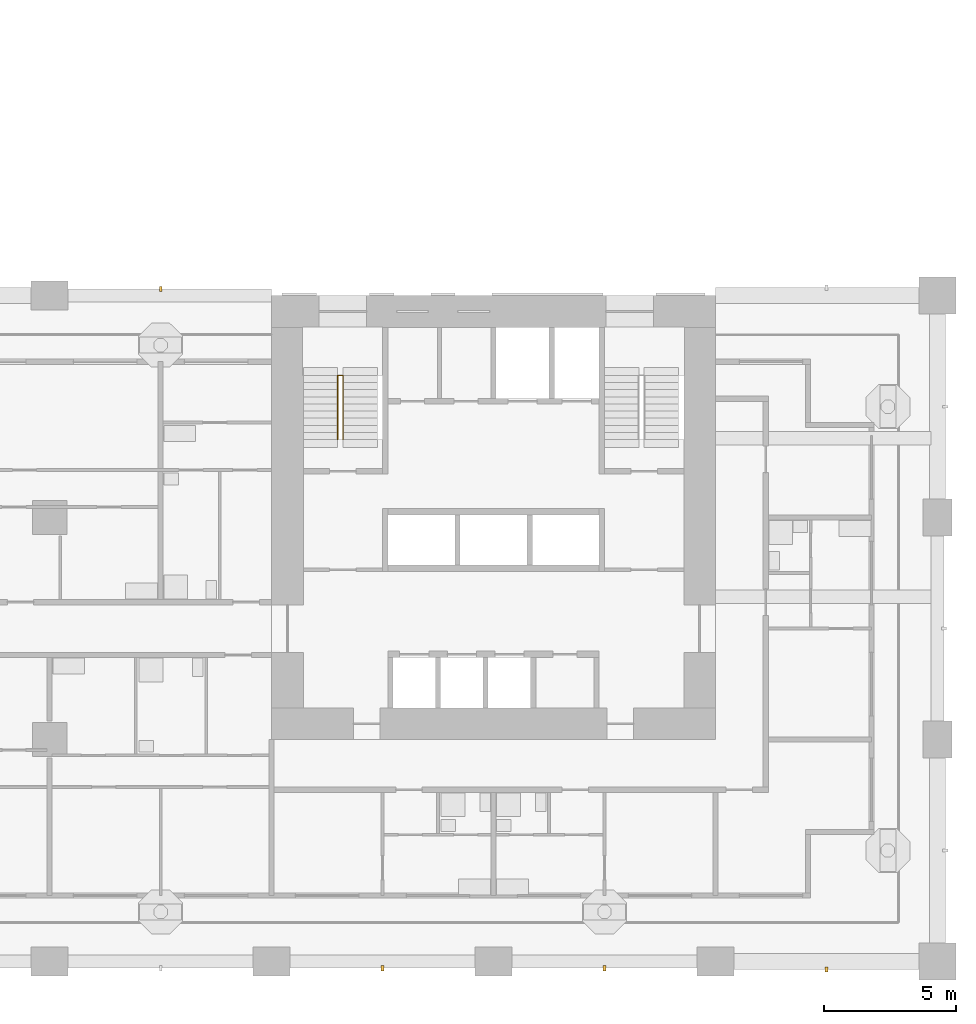
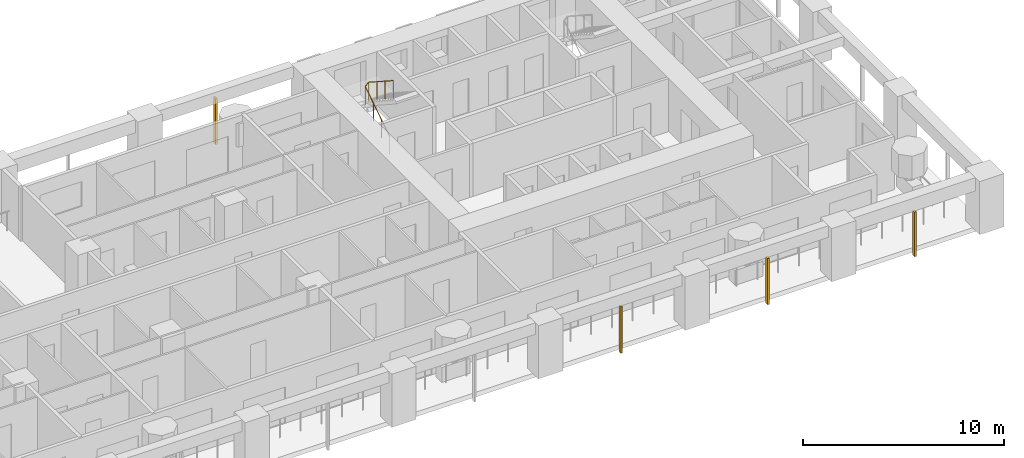
# One storey, part 13 of 21: 4 shading devices, 1 railing.
"""IFC4 building model written with IfcOpenShell, lengths in metres."""

from ifc_helpers import new_model, si_unit, direction, frame, origin, origin_2d, place, context, subcontext, project, spatial, rectangle, circle, extrude, material, material_profile, profile_set, type_object, element, save


model = new_model("IFC4")

# Units and contexts
model_context = context("Model", 3, precision=1e-05, world=origin(), true_north=direction((0.0, 1.0)))
body_context = subcontext(model_context, "Body", "Model", "MODEL_VIEW")
ifc_project = project(units=[si_unit("LENGTHUNIT", "METRE"), si_unit("AREAUNIT", "SQUARE_METRE"), si_unit("VOLUMEUNIT", "CUBIC_METRE"), si_unit("PLANEANGLEUNIT", "RADIAN"), si_unit("MASSUNIT", "GRAM", prefix="KILO")], contexts=[model_context])

# Site, building, storey
site_placement = place(None, origin())
site = spatial("IfcSite", under=ifc_project, at=site_placement, CompositionType="ELEMENT")
building_placement = place(site_placement, origin())
building = spatial("IfcBuilding", under=site, at=building_placement, Name="Vermilion Gate Residences", CompositionType="ELEMENT")
storey_placement = place(building_placement, frame((0.0, 0.0, 67.199951171875)))
storey = spatial("IfcBuildingStorey", under=building, at=storey_placement, Name="L16", CompositionType="ELEMENT", Elevation=67.199951171875)

# Railing
ifc_material_1 = material(Name="Steel S355", Category="steel")
railing_type = type_object("IfcRailingType", Name="STAIR GUARD 1100 STEEL", PredefinedType="GUARDRAIL", material=ifc_material_1)
railing_placement = place(storey_placement, frame((44.5, 19.75, 0.175048828125)))
element("IfcRailing", 1, at=railing_placement, inside=storey, type_object=railing_type, Name="Stair well guard STA1-16", PredefinedType="GUARDRAIL", context=body_context, shape_type="SweptSolid", body=[
    extrude(circle(Radius=0.02392578125, at=origin_2d()), frame((0.0, 0.0, 1.076171875), z_axis=(0.0, 0.839153699163, 0.543894354798), x_axis=(-1.0, 0.0, 0.0)), (0.0, 0.0, 1.0), 2.895751953125),
    extrude(circle(Radius=0.02392578125, at=origin_2d()), frame((0.0, 2.429931640625, 2.65087890625), z_axis=(0.752405939678, 0.0, 0.658699705433), x_axis=(0.0, 1.0, 0.0)), (0.0, 0.0, 1.0), 0.265869140625),
    extrude(circle(Radius=0.02392578125, at=origin_2d()), frame((0.199951171875, 2.429931640625, 2.826171875), z_axis=(0.0, -0.839153699163, 0.543894354798), x_axis=(1.0, 0.0, 0.0)), (0.0, 0.0, 1.0), 2.895751953125),
    extrude(circle(Radius=0.02099609375, at=origin_2d()), origin(), (0.0, 0.0, 1.0), 1.052001953125),
    extrude(circle(Radius=0.02099609375, at=origin_2d()), frame((0.0, 0.81005859375, 0.52490234375)), (0.0, 0.0, 1.0), 1.052001953125),
    extrude(circle(Radius=0.02099609375, at=origin_2d()), frame((0.0, 1.619873046875, 1.050048828125)), (0.0, 0.0, 1.0), 1.052001953125),
    extrude(circle(Radius=0.02099609375, at=origin_2d()), frame((0.0, 2.429931640625, 1.574951171875)), (0.0, 0.0, 1.0), 1.052001953125),
    extrude(circle(Radius=0.02099609375, at=origin_2d()), frame((0.199951171875, 2.429931640625, 1.75)), (0.0, 0.0, 1.0), 1.052001953125),
    extrude(circle(Radius=0.02099609375, at=origin_2d()), frame((0.199951171875, 1.619873046875, 2.27490234375)), (0.0, 0.0, 1.0), 1.052001953125),
    extrude(circle(Radius=0.02099609375, at=origin_2d()), frame((0.199951171875, 0.81005859375, 2.800048828125)), (0.0, 0.0, 1.0), 1.052001953125),
    extrude(circle(Radius=0.02099609375, at=origin_2d()), frame((0.199951171875, 0.0, 3.324951171875)), (0.0, 0.0, 1.0), 1.052001953125),
])

# Shading devices
ifc_material_2 = material(Name="Extruded terracotta", Category="masonry")
ifc_material_profile = material_profile(ifc_material_2, rectangle(XDim=0.199951171875, YDim=0.10009765625, at=origin_2d()), Name="BAGUETTE 100 X 200")
ifc_profile_set = profile_set([ifc_material_profile], Name="Extruded terracotta")
shading_device_type = type_object("IfcShadingDeviceType", Name="TERRACOTTA BAGUETTE 100 X 200", PredefinedType="JALOUSIE", material=ifc_profile_set)
for number, where, z_axis, x_axis, name in (
    (2, (46.199951171875, -0.25, -0.280029296875), (0.0, 0.0, 1.0), (0.0, 1.0, 0.0), "BAGUETTE"),
    (3, (54.60009765625, -0.25, -0.280029296875), (0.0, 0.0, 1.0), (0.0, 1.0, 0.0), "BAGUETTE"),
):
    element("IfcShadingDevice", number, at=place(storey_placement, frame(where, z_axis=z_axis, x_axis=x_axis)), inside=storey, type_object=shading_device_type, Name=name, PredefinedType="JALOUSIE", context=body_context, shape_type="SweptSolid", body=[
        extrude(rectangle(XDim=0.199951171875, YDim=0.10009765625, at=origin_2d()), origin(), (0.0, 0.0, 1.0), 2.800048828125),
    ])
shading_device_1_placement = place(storey_placement, frame((63.0, -0.300048828125, -0.280029296875), z_axis=(0.0, 0.0, 1.0), x_axis=(0.0, 1.0, 0.0)))
element("IfcShadingDevice", 4, at=shading_device_1_placement, inside=storey, type_object=shading_device_type, Name="BAGUETTE", PredefinedType="JALOUSIE", context=body_context, shape_type="SweptSolid", body=[
    extrude(rectangle(XDim=0.199951171875, YDim=0.10009765625, at=origin_2d()), origin(), (0.0, 0.0, 1.0), 2.7001953125),
])
shading_device_2_placement = place(storey_placement, frame((37.800048828125, 25.449951171875, -0.280029296875), z_axis=(0.0, 0.0, 1.0), x_axis=(0.0, -1.0, 0.0)))
element("IfcShadingDevice", 5, at=shading_device_2_placement, inside=storey, type_object=shading_device_type, Name="BAGUETTE", PredefinedType="JALOUSIE", context=body_context, shape_type="SweptSolid", body=[
    extrude(rectangle(XDim=0.199951171875, YDim=0.10009765625, at=origin_2d()), origin(), (0.0, 0.0, 1.0), 2.800048828125),
])

save(model, "model.ifc")
